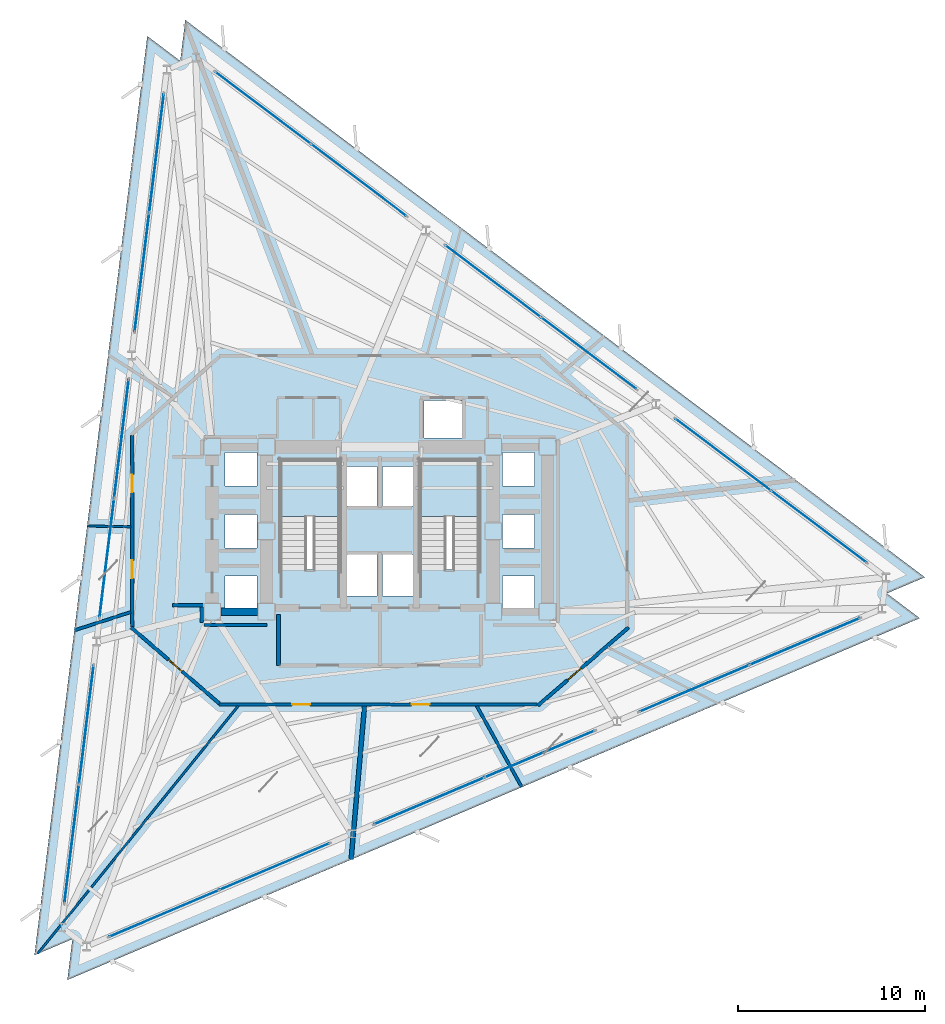
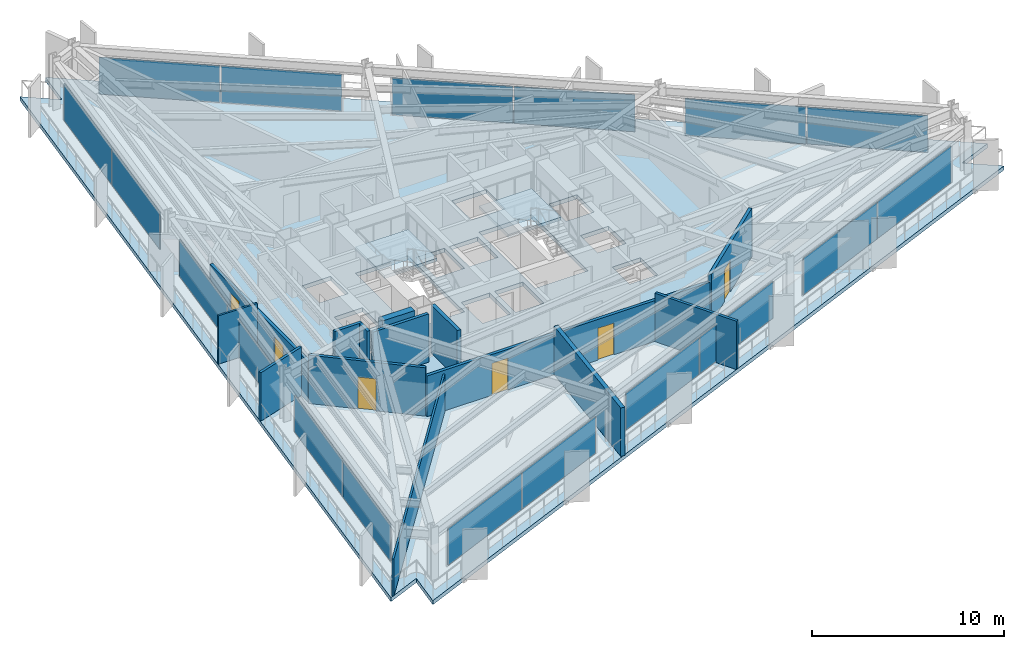
# One storey, part 6 of 13: 18 plates, 14 walls, 6 doors, 3 slabs, 6 openings, 11 elements without a shape of their own.
"""IFC4 building model written with IfcOpenShell, lengths in metres."""

from ifc_helpers import new_model, si_unit, direction, frame, frame_2d, origin, origin_2d, place, context, subcontext, project, spatial, polyline, rectangle, outline, extrude, material, layer, layer_set, type_object, element, fill, aggregate, save


model = new_model("IFC4")

# Units and contexts
model_context = context("Model", 3, precision=1e-05, world=origin(), true_north=direction((0.0, 1.0)))
body_context = subcontext(model_context, "Body", "Model", "MODEL_VIEW")
ifc_project = project(units=[si_unit("LENGTHUNIT", "METRE"), si_unit("AREAUNIT", "SQUARE_METRE"), si_unit("VOLUMEUNIT", "CUBIC_METRE"), si_unit("PLANEANGLEUNIT", "RADIAN"), si_unit("MASSUNIT", "GRAM", prefix="KILO")], contexts=[model_context])

# Site, building, storey
site_placement = place(None, origin())
site = spatial("IfcSite", under=ifc_project, at=site_placement, CompositionType="ELEMENT")
building_placement = place(site_placement, origin())
building = spatial("IfcBuilding", under=site, at=building_placement, Name="Rocaltana Carrier Exchange", CompositionType="ELEMENT")
storey_placement = place(building_placement, frame((0.0, 0.0, 59.679931640625)))
storey = spatial("IfcBuildingStorey", under=building, at=storey_placement, Name="L18", CompositionType="ELEMENT", Elevation=59.679931640625)

# Curtain wall, plates
ifc_material_1 = material(Name="Aluminium 6063-T6", Category="aluminium")
ifc_layer_1 = layer(ifc_material_1, 0.1650390625)
ifc_layer_set_1 = layer_set([ifc_layer_1], Name="Aluminium 6063-T6")
curtain_wall_type = type_object("IfcCurtainWallType", Name="Lower-Mid Stepped Curtain Wall CW-02", PredefinedType="NOTDEFINED", material=ifc_layer_set_1)
curtain_wall_1_placement = place(storey_placement, origin())
curtain_wall_1 = element("IfcCurtainWall", 1, at=curtain_wall_1_placement, inside=storey, type_object=curtain_wall_type, Name="L18 CW-02 Run CW-L18-F1S1", PredefinedType="NOTDEFINED")
ifc_material_2 = material(Name="Tempered Laminated Glass", Category="glass")
ifc_layer_2 = layer(ifc_material_2, 0.0419921875)
ifc_layer_set_2 = layer_set([ifc_layer_2], Name="Tempered Laminated Glass")
plate_type = type_object("IfcPlateType", Name="CW-02 Stone-Insulated Vision Panel", PredefinedType="CURTAIN_PANEL", material=ifc_layer_set_2)
plate_1_placement = place(storey_placement, frame((23.422607421875, 0.231201171875, 0.06494140625), z_axis=(0.0, 0.0, 1.0), x_axis=(-0.798641886792, 0.601806560833, 0.0)))
plate_1 = element("IfcPlate", 2, at=plate_1_placement, type_object=plate_type, Name="CW-02 panel 1.1", PredefinedType="CURTAIN_PANEL", context=body_context, shape_type="SweptSolid", body=[
    extrude(rectangle(XDim=6.335693359375, YDim=0.0419921875, at=origin_2d()), origin(), (0.0, 0.0, 1.0), 2.347900390625),
])
plate_2_placement = place(storey_placement, frame((18.310791015625, 4.083251953125, 0.06494140625), z_axis=(0.0, 0.0, 1.0), x_axis=(-0.798641886792, 0.601806560833, 0.0)))
plate_2 = element("IfcPlate", 3, at=plate_2_placement, type_object=plate_type, Name="CW-02 panel 2.1", PredefinedType="CURTAIN_PANEL", context=body_context, shape_type="SweptSolid", body=[
    extrude(rectangle(XDim=6.335693359375, YDim=0.0419921875, at=origin_2d()), origin(), (0.0, 0.0, 1.0), 2.347900390625),
])
aggregate(curtain_wall_1, [plate_1, plate_2])

curtain_wall_2_placement = place(storey_placement, origin())
curtain_wall_2 = element("IfcCurtainWall", 4, at=curtain_wall_2_placement, inside=storey, type_object=curtain_wall_type, Name="L18 CW-02 Run CW-L18-F1S2", PredefinedType="NOTDEFINED")
plate_3_placement = place(storey_placement, frame((11.150390625, 9.47900390625, 0.06494140625), z_axis=(0.0, 0.0, 1.0), x_axis=(-0.798635336443, 0.601815253533, 0.0)))
plate_3 = element("IfcPlate", 5, at=plate_3_placement, type_object=plate_type, Name="CW-02 panel 1.1", PredefinedType="CURTAIN_PANEL", context=body_context, shape_type="SweptSolid", body=[
    extrude(rectangle(XDim=6.335693359375, YDim=0.0419921875, at=origin_2d()), origin(), (0.0, 0.0, 1.0), 2.347900390625),
])
plate_4_placement = place(storey_placement, frame((6.038330078125, 13.3310546875, 0.06494140625), z_axis=(0.0, 0.0, 1.0), x_axis=(-0.798635336443, 0.601815253533, 0.0)))
plate_4 = element("IfcPlate", 6, at=plate_4_placement, type_object=plate_type, Name="CW-02 panel 2.1", PredefinedType="CURTAIN_PANEL", context=body_context, shape_type="SweptSolid", body=[
    extrude(rectangle(XDim=6.335693359375, YDim=0.0419921875, at=origin_2d()), origin(), (0.0, 0.0, 1.0), 2.347900390625),
])
aggregate(curtain_wall_2, [plate_3, plate_4])

curtain_wall_3_placement = place(storey_placement, origin())
curtain_wall_3 = element("IfcCurtainWall", 7, at=curtain_wall_3_placement, inside=storey, type_object=curtain_wall_type, Name="L18 CW-02 Run CW-L18-F1S3", PredefinedType="NOTDEFINED")
plate_5_placement = place(storey_placement, frame((-1.1220703125, 18.726806640625, 0.06494140625), z_axis=(0.0, 0.0, 1.0), x_axis=(-0.79863815132, 0.601811518049, 0.0)))
plate_5 = element("IfcPlate", 8, at=plate_5_placement, type_object=plate_type, Name="CW-02 panel 1.1", PredefinedType="CURTAIN_PANEL", context=body_context, shape_type="SweptSolid", body=[
    extrude(rectangle(XDim=6.3359375, YDim=0.0419921875, at=origin_2d()), origin(), (0.0, 0.0, 1.0), 2.347900390625),
])
plate_6_placement = place(storey_placement, frame((-6.23388671875, 22.5791015625, 0.06494140625), z_axis=(0.0, 0.0, 1.0), x_axis=(-0.79863815132, 0.601811518049, 0.0)))
plate_6 = element("IfcPlate", 9, at=plate_6_placement, type_object=plate_type, Name="CW-02 panel 2.1", PredefinedType="CURTAIN_PANEL", context=body_context, shape_type="SweptSolid", body=[
    extrude(rectangle(XDim=6.3359375, YDim=0.0419921875, at=origin_2d()), origin(), (0.0, 0.0, 1.0), 2.347900390625),
])
aggregate(curtain_wall_3, [plate_5, plate_6])

curtain_wall_4_placement = place(storey_placement, origin())
curtain_wall_4 = element("IfcCurtainWall", 10, at=curtain_wall_4_placement, inside=storey, type_object=curtain_wall_type, Name="L18 CW-02 Run CW-L18-F2S1", PredefinedType="NOTDEFINED")
plate_7_placement = place(storey_placement, frame((-11.91162109375, 20.169189453125, 0.06494140625), z_axis=(0.0, 0.0, 1.0), x_axis=(-0.121872630343, -0.992545748051, 0.0)))
plate_7 = element("IfcPlate", 11, at=plate_7_placement, type_object=plate_type, Name="CW-02 panel 1.1", PredefinedType="CURTAIN_PANEL", context=body_context, shape_type="SweptSolid", body=[
    extrude(rectangle(XDim=6.3359375, YDim=0.0419921875, at=origin_2d()), origin(), (0.0, 0.0, 1.0), 2.347900390625),
])
plate_8_placement = place(storey_placement, frame((-12.691650390625, 13.81591796875, 0.06494140625), z_axis=(0.0, 0.0, 1.0), x_axis=(-0.121872630343, -0.992545748051, 0.0)))
plate_8 = element("IfcPlate", 12, at=plate_8_placement, type_object=plate_type, Name="CW-02 panel 2.1", PredefinedType="CURTAIN_PANEL", context=body_context, shape_type="SweptSolid", body=[
    extrude(rectangle(XDim=6.3359375, YDim=0.0419921875, at=origin_2d()), origin(), (0.0, 0.0, 1.0), 2.347900390625),
])
aggregate(curtain_wall_4, [plate_7, plate_8])

curtain_wall_5_placement = place(storey_placement, origin())
curtain_wall_5 = element("IfcCurtainWall", 13, at=curtain_wall_5_placement, inside=storey, type_object=curtain_wall_type, Name="L18 CW-02 Run CW-L18-F2S2", PredefinedType="NOTDEFINED")
plate_9_placement = place(storey_placement, frame((-13.7841796875, 4.9169921875, 0.06494140625), z_axis=(0.0, 0.0, 1.0), x_axis=(-0.121873570472, -0.992545632614, 0.0)))
plate_9 = element("IfcPlate", 14, at=plate_9_placement, type_object=plate_type, Name="CW-02 panel 1.1", PredefinedType="CURTAIN_PANEL", context=body_context, shape_type="SweptSolid", body=[
    extrude(rectangle(XDim=6.335693359375, YDim=0.0419921875, at=origin_2d()), origin(), (0.0, 0.0, 1.0), 2.347900390625),
])
plate_10_placement = place(storey_placement, frame((-14.564208984375, -1.436279296875, 0.06494140625), z_axis=(0.0, 0.0, 1.0), x_axis=(-0.121873570472, -0.992545632614, 0.0)))
plate_10 = element("IfcPlate", 15, at=plate_10_placement, type_object=plate_type, Name="CW-02 panel 2.1", PredefinedType="CURTAIN_PANEL", context=body_context, shape_type="SweptSolid", body=[
    extrude(rectangle(XDim=6.335693359375, YDim=0.0419921875, at=origin_2d()), origin(), (0.0, 0.0, 1.0), 2.347900390625),
])
aggregate(curtain_wall_5, [plate_9, plate_10])

curtain_wall_6_placement = place(storey_placement, origin())
curtain_wall_6 = element("IfcCurtainWall", 16, at=curtain_wall_6_placement, inside=storey, type_object=curtain_wall_type, Name="L18 CW-02 Run CW-L18-F2S3", PredefinedType="NOTDEFINED")
plate_11_placement = place(storey_placement, frame((-15.656982421875, -10.335205078125, 0.06494140625), z_axis=(0.0, 0.0, 1.0), x_axis=(-0.121881227076, -0.992544692438, 0.0)))
plate_11 = element("IfcPlate", 17, at=plate_11_placement, type_object=plate_type, Name="CW-02 panel 1.1", PredefinedType="CURTAIN_PANEL", context=body_context, shape_type="SweptSolid", body=[
    extrude(rectangle(XDim=6.335693359375, YDim=0.0419921875, at=origin_2d()), origin(), (0.0, 0.0, 1.0), 2.347900390625),
])
plate_12_placement = place(storey_placement, frame((-16.43701171875, -16.688232421875, 0.06494140625), z_axis=(0.0, 0.0, 1.0), x_axis=(-0.121881227076, -0.992544692438, 0.0)))
plate_12 = element("IfcPlate", 18, at=plate_12_placement, type_object=plate_type, Name="CW-02 panel 2.1", PredefinedType="CURTAIN_PANEL", context=body_context, shape_type="SweptSolid", body=[
    extrude(rectangle(XDim=6.335693359375, YDim=0.0419921875, at=origin_2d()), origin(), (0.0, 0.0, 1.0), 2.347900390625),
])
aggregate(curtain_wall_6, [plate_11, plate_12])

curtain_wall_7_placement = place(storey_placement, origin())
curtain_wall_7 = element("IfcCurtainWall", 19, at=curtain_wall_7_placement, inside=storey, type_object=curtain_wall_type, Name="L18 CW-02 Run CW-L18-F3S1", PredefinedType="NOTDEFINED")
plate_13_placement = place(storey_placement, frame((-11.51123046875, -20.400146484375, 0.06494140625), z_axis=(0.0, 0.0, 1.0), x_axis=(0.920505895435, 0.390728673724, 0.0)))
plate_13 = element("IfcPlate", 20, at=plate_13_placement, type_object=plate_type, Name="CW-02 panel 1.1", PredefinedType="CURTAIN_PANEL", context=body_context, shape_type="SweptSolid", body=[
    extrude(rectangle(XDim=6.3359375, YDim=0.0419921875, at=origin_2d()), origin(), (0.0, 0.0, 1.0), 2.347900390625),
])
plate_14_placement = place(storey_placement, frame((-5.619140625, -17.899169921875, 0.06494140625), z_axis=(0.0, 0.0, 1.0), x_axis=(0.920505895435, 0.390728673724, 0.0)))
plate_14 = element("IfcPlate", 21, at=plate_14_placement, type_object=plate_type, Name="CW-02 panel 2.1", PredefinedType="CURTAIN_PANEL", context=body_context, shape_type="SweptSolid", body=[
    extrude(rectangle(XDim=6.3359375, YDim=0.0419921875, at=origin_2d()), origin(), (0.0, 0.0, 1.0), 2.347900390625),
])
aggregate(curtain_wall_7, [plate_13, plate_14])

curtain_wall_8_placement = place(storey_placement, origin())
curtain_wall_8 = element("IfcCurtainWall", 22, at=curtain_wall_8_placement, inside=storey, type_object=curtain_wall_type, Name="L18 CW-02 Run CW-L18-F3S2", PredefinedType="NOTDEFINED")
plate_15_placement = place(storey_placement, frame((2.634033203125, -14.39599609375, 0.06494140625), z_axis=(0.0, 0.0, 1.0), x_axis=(0.920505895435, 0.390728673724, 0.0)))
plate_15 = element("IfcPlate", 23, at=plate_15_placement, type_object=plate_type, Name="CW-02 panel 1.1", PredefinedType="CURTAIN_PANEL", context=body_context, shape_type="SweptSolid", body=[
    extrude(rectangle(XDim=6.3359375, YDim=0.0419921875, at=origin_2d()), origin(), (0.0, 0.0, 1.0), 2.347900390625),
])
plate_16_placement = place(storey_placement, frame((8.52587890625, -11.89501953125, 0.06494140625), z_axis=(0.0, 0.0, 1.0), x_axis=(0.920505895435, 0.390728673724, 0.0)))
plate_16 = element("IfcPlate", 24, at=plate_16_placement, type_object=plate_type, Name="CW-02 panel 2.1", PredefinedType="CURTAIN_PANEL", context=body_context, shape_type="SweptSolid", body=[
    extrude(rectangle(XDim=6.3359375, YDim=0.0419921875, at=origin_2d()), origin(), (0.0, 0.0, 1.0), 2.347900390625),
])
aggregate(curtain_wall_8, [plate_15, plate_16])

curtain_wall_9_placement = place(storey_placement, origin())
curtain_wall_9 = element("IfcCurtainWall", 25, at=curtain_wall_9_placement, inside=storey, type_object=curtain_wall_type, Name="L18 CW-02 Run CW-L18-F3S3", PredefinedType="NOTDEFINED")
plate_17_placement = place(storey_placement, frame((16.779052734375, -8.391845703125, 0.06494140625), z_axis=(0.0, 0.0, 1.0), x_axis=(0.920503100084, 0.390735259141, 0.0)))
plate_17 = element("IfcPlate", 26, at=plate_17_placement, type_object=plate_type, Name="CW-02 panel 1.1", PredefinedType="CURTAIN_PANEL", context=body_context, shape_type="SweptSolid", body=[
    extrude(rectangle(XDim=6.3359375, YDim=0.0419921875, at=origin_2d()), origin(), (0.0, 0.0, 1.0), 2.347900390625),
])
plate_18_placement = place(storey_placement, frame((22.671142578125, -5.890625, 0.06494140625), z_axis=(0.0, 0.0, 1.0), x_axis=(0.920503100084, 0.390735259141, 0.0)))
plate_18 = element("IfcPlate", 27, at=plate_18_placement, type_object=plate_type, Name="CW-02 panel 2.1", PredefinedType="CURTAIN_PANEL", context=body_context, shape_type="SweptSolid", body=[
    extrude(rectangle(XDim=6.3359375, YDim=0.0419921875, at=origin_2d()), origin(), (0.0, 0.0, 1.0), 2.347900390625),
])
aggregate(curtain_wall_9, [plate_17, plate_18])

# Slab
ifc_material_3 = material(Name="Concrete C60/75", Category="concrete")
ifc_layer_3 = layer(ifc_material_3, 0.260009765625)
ifc_layer_set_3 = layer_set([ifc_layer_3], Name="Concrete C60/75")
slab_type_1 = type_object("IfcSlabType", Name="Low-Zone Tower Slab 260", PredefinedType="FLOOR", material=ifc_layer_set_3)
slab_1_placement = place(storey_placement, frame((0.0, 0.0, -0.260009765625)))
element("IfcSlab", 28, at=slab_1_placement, inside=storey, type_object=slab_type_1, Name="L18 Structural Floor Slab", PredefinedType="FLOOR", context=body_context, shape_type="SweptSolid", body=[
    extrude(outline(polyline([(28.8046875, -4.64501953125), (27.0478515625, -3.321044921875), (29.072998046875, -2.46142578125), (-10.379638671875, 27.268310546875), (-10.647705078125, 25.084716796875), (-12.40478515625, 26.40869140625), (-18.425048828125, -22.623291015625), (-16.39990234375, -21.763671875), (-16.668212890625, -23.947265625), (28.8046875, -4.64501953125)]), holes=[polyline([(-5.300048828125, -2.06005859375), (-2.139892578125, -2.06005859375), (-2.139892578125, 3.800048828125), (-5.300048828125, 3.800048828125), (-5.300048828125, -2.06005859375)]), polyline([(2.139892578125, -2.06005859375), (5.300048828125, -2.06005859375), (5.300048828125, 3.800048828125), (2.139892578125, 3.800048828125), (2.139892578125, -2.06005859375)]), polyline([(-1.85009765625, -3.449951171875), (-0.14990234375, -3.449951171875), (-0.14990234375, -1.25), (-1.85009765625, -1.25), (-1.85009765625, -3.449951171875)]), polyline([(0.14990234375, -3.449951171875), (1.85009765625, -3.449951171875), (1.85009765625, -1.25), (0.14990234375, -1.25), (0.14990234375, -3.449951171875)]), polyline([(2.35009765625, 4.97998046875), (4.39990234375, 4.97998046875), (4.39990234375, 6.97998046875), (2.35009765625, 6.97998046875), (2.35009765625, 4.97998046875)]), polyline([(-1.85009765625, 1.35009765625), (-0.14990234375, 1.35009765625), (-0.14990234375, 3.449951171875), (-1.85009765625, 3.449951171875), (-1.85009765625, 1.35009765625)]), polyline([(0.14990234375, 1.35009765625), (1.85009765625, 1.35009765625), (1.85009765625, 3.449951171875), (0.14990234375, 3.449951171875), (0.14990234375, 1.35009765625)]), polyline([(-8.25, -4.199951171875), (-6.550048828125, -4.199951171875), (-6.550048828125, -2.39990234375), (-8.25, -2.39990234375), (-8.25, -4.199951171875)]), polyline([(-8.25, -0.89990234375), (-6.550048828125, -0.89990234375), (-6.550048828125, 0.89990234375), (-8.25, 0.89990234375), (-8.25, -0.89990234375)]), polyline([(-8.25, 2.39990234375), (-6.550048828125, 2.39990234375), (-6.550048828125, 4.199951171875), (-8.25, 4.199951171875), (-8.25, 2.39990234375)]), polyline([(6.550048828125, -4.199951171875), (8.25, -4.199951171875), (8.25, -2.39990234375), (6.550048828125, -2.39990234375), (6.550048828125, -4.199951171875)]), polyline([(6.550048828125, -0.89990234375), (8.25, -0.89990234375), (8.25, 0.89990234375), (6.550048828125, 0.89990234375), (6.550048828125, -0.89990234375)]), polyline([(6.550048828125, 2.39990234375), (8.25, 2.39990234375), (8.25, 4.199951171875), (6.550048828125, 4.199951171875), (6.550048828125, 2.39990234375)])]), origin(), (0.0, 0.0, 1.0), 0.260009765625),
])

# Stair, slab
ifc_material_4 = material(Name="Precast concrete C45/55", Category="concrete")
stair_type = type_object("IfcStairType", Name="Standard Dog-Leg Stair 160", PredefinedType="HALF_TURN_STAIR", material=ifc_material_4)
stair_1_placement = place(storey_placement, origin())
stair_1 = element("IfcStair", 29, at=stair_1_placement, inside=storey, type_object=stair_type, Name="L18 Core West Exit Stair ST-1", PredefinedType="HALF_TURN_STAIR")
ifc_material_5 = material(Name="Precast concrete C45/55", Category="concrete")
ifc_layer_4 = layer(ifc_material_5, 0.199951171875)
ifc_layer_set_4 = layer_set([ifc_layer_4], Name="Precast concrete C45/55")
slab_type_2 = type_object("IfcSlabType", Name="Precast Stair Half-Landing 200", PredefinedType="LANDING", material=ifc_layer_set_4)
slab_2_placement = place(storey_placement, frame((0.0, 0.0, 1.47998046875)))
slab_2 = element("IfcSlab", 30, at=slab_2_placement, type_object=slab_type_2, Name="ST-1 landing 1", PredefinedType="LANDING", context=body_context, shape_type="SweptSolid", body=[
    extrude(outline(polyline([(-2.139892578125, 0.780029296875), (-2.139892578125, 3.800048828125), (-5.300048828125, 3.800048828125), (-5.300048828125, 0.780029296875), (-2.139892578125, 0.780029296875)])), origin(), (0.0, 0.0, 1.0), 0.2001953125),
])
aggregate(stair_1, [slab_2])

stair_2_placement = place(storey_placement, origin())
stair_2 = element("IfcStair", 31, at=stair_2_placement, inside=storey, type_object=stair_type, Name="L18 Core East Exit Stair ST-2", PredefinedType="HALF_TURN_STAIR")
slab_3_placement = place(storey_placement, frame((0.0, 0.0, 1.47998046875)))
slab_3 = element("IfcSlab", 32, at=slab_3_placement, type_object=slab_type_2, Name="ST-2 landing 1", PredefinedType="LANDING", context=body_context, shape_type="SweptSolid", body=[
    extrude(outline(polyline([(5.300048828125, 0.780029296875), (5.300048828125, 3.800048828125), (2.139892578125, 3.800048828125), (2.139892578125, 0.780029296875), (5.300048828125, 0.780029296875)])), origin(), (0.0, 0.0, 1.0), 0.2001953125),
])
aggregate(stair_2, [slab_3])

# Walls
ifc_material_6 = material(Name="Double Acoustic Gypsum Partition", Category="gypsum")
ifc_layer_5 = layer(ifc_material_6, 0.159912109375)
ifc_layer_set_5 = layer_set([ifc_layer_5], Name="Double Acoustic Gypsum Partition")
wall_type_1 = type_object("IfcWallType", Name="Acoustic Studio Partition 160 EI60", PredefinedType="PARTITIONING", material=ifc_layer_set_5)
wall_1_placement = place(storey_placement, frame((-13.280029296875, -4.31494140625, 0.0), z_axis=(0.0, 0.0, 1.0), x_axis=(-0.951057330934, -0.309014487164, 0.0)))
element("IfcWall", 33, at=wall_1_placement, inside=storey, type_object=wall_type_1, Name="L18 Suite Divider Wall D1", PredefinedType="PARTITIONING", context=body_context, shape_type="SweptSolid", body=[
    extrude(rectangle(XDim=3.161865234375, YDim=0.159912109375, at=frame_2d((1.5810546875, 0.0))), origin(), (0.0, 0.0, 1.0), 3.072998046875),
])
wall_2_placement = place(storey_placement, frame((5.171630859375, -9.330078125, 0.0), z_axis=(0.0, 0.0, 1.0), x_axis=(0.484815832005, -0.874616263876, 0.0)))
element("IfcWall", 34, at=wall_2_placement, inside=storey, type_object=wall_type_1, Name="L18 Suite Divider Wall D4", PredefinedType="PARTITIONING", context=body_context, shape_type="SweptSolid", body=[
    extrude(rectangle(XDim=4.9384765625, YDim=0.159912109375, at=frame_2d((2.46923828125, 0.0))), origin(), (0.0, 0.0, 1.0), 3.072998046875),
])
ifc_material_7 = material(Name="Concrete C50/60", Category="concrete")
ifc_layer_6 = layer(ifc_material_7, 0.39990234375)
ifc_layer_set_6 = layer_set([ifc_layer_6], Name="Concrete C50/60")
wall_type_2 = type_object("IfcWallType", Name="Core Internal Shear Wall 400", PredefinedType="SHEAR", material=ifc_layer_set_6)
wall_3_placement = place(storey_placement, frame((-8.47509765625, -4.300048828125, 0.0), z_axis=(0.0, 0.0, 1.0), x_axis=(1.0, 0.0, 0.0)))
element("IfcWall", 35, at=wall_3_placement, inside=storey, type_object=wall_type_2, Name="L18 Core Shear Wall CW-WWS", PredefinedType="SHEAR", context=body_context, shape_type="SweptSolid", body=[
    extrude(rectangle(XDim=1.9501953125, YDim=0.39990234375, at=frame_2d((0.97509765625, 0.0))), origin(), (0.0, 0.0, 1.0), 3.09814453125),
])

# Wall, opening, door
ifc_material_8 = material(Name="Gypsum & Steel Stud Partition", Category="steel")
ifc_layer_7 = layer(ifc_material_8, 0.179931640625)
ifc_layer_set_7 = layer_set([ifc_layer_7], Name="Gypsum & Steel Stud Partition")
wall_type_3 = type_object("IfcWallType", Name="Corridor Fire Partition 180 EI60", PredefinedType="PARTITIONING", material=ifc_layer_set_7)
wall_4_placement = place(storey_placement, frame((13.268310546875, -5.14111328125, 0.0), z_axis=(0.0, 0.0, 1.0), x_axis=(-0.757534501725, -0.65279512766, 0.0)))
wall_4 = element("IfcWall", 36, at=wall_4_placement, inside=storey, type_object=wall_type_3, Name="L18 Corridor Partition 4", PredefinedType="PARTITIONING", context=body_context, shape_type="SweptSolid", body=[
    extrude(rectangle(XDim=6.384521484375, YDim=0.179931640625, at=frame_2d((3.1923828125, 0.0))), origin(), (0.0, 0.0, 1.0), 3.072998046875),
])
opening_1_placement = place(wall_4_placement, frame((3.345703125, 0.0, 0.0)))
opening_1 = element("IfcOpeningElement", 37, at=opening_1_placement, cuts=wall_4, Name="Opening D-RM098", PredefinedType="OPENING", context=body_context, shape_type="SweptSolid", body=[
    extrude(rectangle(XDim=0.9599609375, YDim=2.02001953125, at=frame_2d((0.47998046875, 1.010009765625))), frame((0.0, 0.099853515625, 0.0), z_axis=(0.0, -1.0, 0.0), x_axis=(1.0, 0.0, 0.0)), (0.0, 0.0, 1.0), 0.199951171875),
])
ifc_material_9 = material(Name="Engineered Hardwood Timber", Category="wood")
door_type = type_object("IfcDoorType", Name="Workspace Single Door 960x2020", OperationType="NOTDEFINED", PredefinedType="DOOR", material=ifc_material_9)
door_1_placement = place(opening_1_placement, origin())
door_1 = element("IfcDoor", 38, at=door_1_placement, inside=storey, type_object=door_type, Name="L18 Peering Conference Room Entrance Door", OperationType="SINGLE_SWING_LEFT", OverallHeight=2.02001953125, OverallWidth=0.9599609375, PredefinedType="DOOR", context=body_context, shape_type="SweptSolid", body=[
    extrude(rectangle(XDim=0.9599609375, YDim=2.02001953125, at=frame_2d((0.47998046875, 1.010009765625))), frame((0.0, 0.02490234375, 0.0), z_axis=(0.0, -1.0, 0.0), x_axis=(1.0, 0.0, 0.0)), (0.0, 0.0, 1.0), 0.050048828125),
])
fill(opening_1, door_1)

# Wall, openings, doors
wall_5_placement = place(storey_placement, frame((8.409912109375, -9.25, 0.0), z_axis=(0.0, 0.0, 1.0), x_axis=(-1.0, 0.0, 0.0)))
wall_5 = element("IfcWall", 39, at=wall_5_placement, inside=storey, type_object=wall_type_3, Name="L18 Corridor Partition 5", PredefinedType="PARTITIONING", context=body_context, shape_type="SweptSolid", body=[
    extrude(rectangle(XDim=17.0, YDim=0.179931640625, at=frame_2d((8.5, 0.0))), origin(), (0.0, 0.0, 1.0), 2.587158203125),
])
opening_2_placement = place(wall_5_placement, frame((12.126953125, 0.0, 0.0)))
opening_2 = element("IfcOpeningElement", 40, at=opening_2_placement, cuts=wall_5, Name="Opening D-RM098", PredefinedType="OPENING", context=body_context, shape_type="SweptSolid", body=[
    extrude(rectangle(XDim=0.9599609375, YDim=2.02001953125, at=frame_2d((0.47998046875, 1.010009765625))), frame((0.0, 0.099853515625, 0.0), z_axis=(0.0, -1.0, 0.0), x_axis=(1.0, 0.0, 0.0)), (0.0, 0.0, 1.0), 0.199951171875),
])
opening_3_placement = place(wall_5_placement, frame((5.75, 0.0, 0.0)))
opening_3 = element("IfcOpeningElement", 41, at=opening_3_placement, cuts=wall_5, Name="Opening D-RM098", PredefinedType="OPENING", context=body_context, shape_type="SweptSolid", body=[
    extrude(rectangle(XDim=0.9599609375, YDim=2.02001953125, at=frame_2d((0.47998046875, 1.010009765625))), frame((0.0, 0.099853515625, 0.0), z_axis=(0.0, -1.0, 0.0), x_axis=(1.0, 0.0, 0.0)), (0.0, 0.0, 1.0), 0.199951171875),
])
door_2_placement = place(opening_2_placement, origin())
door_2 = element("IfcDoor", 42, at=door_2_placement, inside=storey, type_object=door_type, Name="L18 Client Reception Foyer Entrance Door", OperationType="SINGLE_SWING_LEFT", OverallHeight=2.02001953125, OverallWidth=0.9599609375, PredefinedType="DOOR", context=body_context, shape_type="SweptSolid", body=[
    extrude(rectangle(XDim=0.9599609375, YDim=2.02001953125, at=frame_2d((0.47998046875, 1.010009765625))), frame((0.0, 0.02490234375, 0.0), z_axis=(0.0, -1.0, 0.0), x_axis=(1.0, 0.0, 0.0)), (0.0, 0.0, 1.0), 0.050048828125),
])
fill(opening_2, door_2)
door_3_placement = place(opening_3_placement, origin())
door_3 = element("IfcDoor", 43, at=door_3_placement, inside=storey, type_object=door_type, Name="L18 Cloud Architecture Office Entrance Door", OperationType="SINGLE_SWING_RIGHT", OverallHeight=2.02001953125, OverallWidth=0.9599609375, PredefinedType="DOOR", context=body_context, shape_type="SweptSolid", body=[
    extrude(rectangle(XDim=0.9599609375, YDim=2.02001953125, at=frame_2d((0.47998046875, 1.010009765625))), frame((0.0, 0.02490234375, 0.0), z_axis=(0.0, -1.0, 0.0), x_axis=(1.0, 0.0, 0.0)), (0.0, 0.0, 1.0), 0.050048828125),
])
fill(opening_3, door_3)

# Wall, opening, door
wall_6_placement = place(storey_placement, frame((-8.568115234375, -9.191162109375, 0.0), z_axis=(0.0, 0.0, 1.0), x_axis=(-0.757556899173, 0.652769135694, 0.0)))
wall_6 = element("IfcWall", 44, at=wall_6_placement, inside=storey, type_object=wall_type_3, Name="L18 Corridor Partition 6", PredefinedType="PARTITIONING", context=body_context, shape_type="SweptSolid", body=[
    extrude(rectangle(XDim=6.204345703125, YDim=0.179931640625, at=frame_2d((3.10205078125, 0.0))), origin(), (0.0, 0.0, 1.0), 3.072998046875),
])
opening_4_placement = place(wall_6_placement, frame((2.6220703125, 0.0, 0.0)))
opening_4 = element("IfcOpeningElement", 45, at=opening_4_placement, cuts=wall_6, Name="Opening D-RM098", PredefinedType="OPENING", context=body_context, shape_type="SweptSolid", body=[
    extrude(rectangle(XDim=0.9599609375, YDim=2.02001953125, at=frame_2d((0.47998046875, 1.010009765625))), frame((0.0, 0.099853515625, 0.0), z_axis=(0.0, -1.0, 0.0), x_axis=(1.0, 0.0, 0.0)), (0.0, 0.0, 1.0), 0.199951171875),
])
door_4_placement = place(opening_4_placement, origin())
door_4 = element("IfcDoor", 46, at=door_4_placement, inside=storey, type_object=door_type, Name="L18 Staff Break Pantry Entrance Door", OperationType="SINGLE_SWING_RIGHT", OverallHeight=2.02001953125, OverallWidth=0.9599609375, PredefinedType="DOOR", context=body_context, shape_type="SweptSolid", body=[
    extrude(rectangle(XDim=0.9599609375, YDim=2.02001953125, at=frame_2d((0.47998046875, 1.010009765625))), frame((0.0, 0.02490234375, 0.0), z_axis=(0.0, -1.0, 0.0), x_axis=(1.0, 0.0, 0.0)), (0.0, 0.0, 1.0), 0.050048828125),
])
fill(opening_4, door_4)

# Wall, openings, doors
wall_7_placement = place(storey_placement, frame((-13.199951171875, -5.110107421875, 0.0), z_axis=(0.0, 0.0, 1.0), x_axis=(0.0, 1.0, 0.0)))
wall_7 = element("IfcWall", 47, at=wall_7_placement, inside=storey, type_object=wall_type_3, Name="L18 Corridor Partition 7", PredefinedType="PARTITIONING", context=body_context, shape_type="SweptSolid", body=[
    extrude(rectangle(XDim=10.22021484375, YDim=0.179931640625, at=frame_2d((5.110107421875, 0.0))), origin(), (0.0, 0.0, 1.0), 2.587158203125),
])
opening_5_placement = place(wall_7_placement, frame((2.589599609375, 0.0, 0.0)))
opening_5 = element("IfcOpeningElement", 48, at=opening_5_placement, cuts=wall_7, Name="Opening D-RM098", PredefinedType="OPENING", context=body_context, shape_type="SweptSolid", body=[
    extrude(rectangle(XDim=0.9599609375, YDim=2.02001953125, at=frame_2d((0.47998046875, 1.010009765625))), frame((0.0, 0.099853515625, 0.0), z_axis=(0.0, -1.0, 0.0), x_axis=(1.0, 0.0, 0.0)), (0.0, 0.0, 1.0), 0.199951171875),
])
opening_6_placement = place(wall_7_placement, frame((7.1708984375, 0.0, 0.0)))
opening_6 = element("IfcOpeningElement", 49, at=opening_6_placement, cuts=wall_7, Name="Opening D-RM098", PredefinedType="OPENING", context=body_context, shape_type="SweptSolid", body=[
    extrude(rectangle(XDim=0.9599609375, YDim=2.02001953125, at=frame_2d((0.47998046875, 1.010009765625))), frame((0.0, 0.099853515625, 0.0), z_axis=(0.0, -1.0, 0.0), x_axis=(1.0, 0.0, 0.0)), (0.0, 0.0, 1.0), 0.199951171875),
])
door_5_placement = place(opening_5_placement, origin())
door_5 = element("IfcDoor", 50, at=door_5_placement, inside=storey, type_object=door_type, Name="L18 Client Reception Foyer Entrance Door", OperationType="SINGLE_SWING_LEFT", OverallHeight=2.02001953125, OverallWidth=0.9599609375, PredefinedType="DOOR", context=body_context, shape_type="SweptSolid", body=[
    extrude(rectangle(XDim=0.9599609375, YDim=2.02001953125, at=frame_2d((0.47998046875, 1.010009765625))), frame((0.0, 0.02490234375, 0.0), z_axis=(0.0, -1.0, 0.0), x_axis=(1.0, 0.0, 0.0)), (0.0, 0.0, 1.0), 0.050048828125),
])
fill(opening_5, door_5)
door_6_placement = place(opening_6_placement, origin())
door_6 = element("IfcDoor", 51, at=door_6_placement, inside=storey, type_object=door_type, Name="L18 Client Reception Foyer Entrance Door", OperationType="SINGLE_SWING_LEFT", OverallHeight=2.02001953125, OverallWidth=0.9599609375, PredefinedType="DOOR", context=body_context, shape_type="SweptSolid", body=[
    extrude(rectangle(XDim=0.9599609375, YDim=2.02001953125, at=frame_2d((0.47998046875, 1.010009765625))), frame((0.0, 0.02490234375, 0.0), z_axis=(0.0, -1.0, 0.0), x_axis=(1.0, 0.0, 0.0)), (0.0, 0.0, 1.0), 0.050048828125),
])
fill(opening_6, door_6)

# Walls
wall_8_placement = place(storey_placement, frame((-11.070068359375, -3.9599609375, 0.0), z_axis=(0.0, 0.0, 1.0), x_axis=(1.0, 0.0, 0.0)))
element("IfcWall", 52, at=wall_8_placement, inside=storey, type_object=wall_type_3, Name="L18 Corridor Partition 11", PredefinedType="PARTITIONING", context=body_context, shape_type="SweptSolid", body=[
    extrude(rectangle(XDim=1.650146484375, YDim=0.179931640625, at=frame_2d((0.8251953125, 0.0))), origin(), (0.0, 0.0, 1.0), 3.072998046875),
])
wall_9_placement = place(storey_placement, frame((-9.510009765625, -4.050048828125, 0.0), z_axis=(0.0, 0.0, 1.0), x_axis=(0.0, -1.0, 0.0)))
element("IfcWall", 53, at=wall_9_placement, inside=storey, type_object=wall_type_3, Name="L18 Corridor Partition 12", PredefinedType="PARTITIONING", context=body_context, shape_type="SweptSolid", body=[
    extrude(rectangle(XDim=0.820068359375, YDim=0.179931640625, at=frame_2d((0.41015625, 0.0))), origin(), (0.0, 0.0, 1.0), 3.072998046875),
])
wall_10_placement = place(storey_placement, frame((-9.3701171875, -5.010009765625, 0.0), z_axis=(0.0, 0.0, 1.0), x_axis=(1.0, 0.0, 0.0)))
element("IfcWall", 54, at=wall_10_placement, inside=storey, type_object=wall_type_3, Name="L18 Corridor Partition 13", PredefinedType="PARTITIONING", context=body_context, shape_type="SweptSolid", body=[
    extrude(rectangle(XDim=3.340087890625, YDim=0.179931640625, at=frame_2d((1.669921875, 0.0))), origin(), (0.0, 0.0, 1.0), 3.072998046875),
])
ifc_material_10 = material(Name="Aluminium 6063-T6 & Acoustic Glass", Category="aluminium")
ifc_layer_8 = layer(ifc_material_10, 0.114990234375)
ifc_layer_set_8 = layer_set([ifc_layer_8], Name="Aluminium 6063-T6 & Acoustic Glass")
wall_type_4 = type_object("IfcWallType", Name="Demountable Glazed Lab Partition 115", PredefinedType="MOVABLE", material=ifc_layer_set_8)
wall_11_placement = place(storey_placement, frame((-7.555419921875, -9.330078125, 0.0), z_axis=(0.0, 0.0, 1.0), x_axis=(-0.629320948329, -0.777145510181, 0.0)))
element("IfcWall", 55, at=wall_11_placement, inside=storey, type_object=wall_type_4, Name="L18 Suite Divider Wall D2", PredefinedType="MOVABLE", context=body_context, shape_type="SweptSolid", body=[
    extrude(rectangle(XDim=16.99609375, YDim=0.114990234375, at=frame_2d((8.498046875, 0.0))), origin(), (0.0, 0.0, 1.0), 2.358154296875),
])
wall_12_placement = place(storey_placement, frame((-13.280029296875, 0.231689453125, 0.0), z_axis=(0.0, 0.0, 1.0), x_axis=(-0.999846109686, 0.017543002765, 0.0)))
element("IfcWall", 56, at=wall_12_placement, inside=storey, type_object=wall_type_4, Name="L18 Suite Divider Wall D11", PredefinedType="MOVABLE", context=body_context, shape_type="SweptSolid", body=[
    extrude(rectangle(XDim=2.323974609375, YDim=0.114990234375, at=frame_2d((1.162109375, 0.0))), origin(), (0.0, 0.0, 1.0), 3.072998046875),
])
ifc_material_11 = material(Name="Autoclaved Aerated Concrete C30/37", Category="concrete")
ifc_layer_9 = layer(ifc_material_11, 0.219970703125)
ifc_layer_set_9 = layer_set([ifc_layer_9], Name="Autoclaved Aerated Concrete C30/37")
wall_type_5 = type_object("IfcWallType", Name="Firefighting Lobby Wall 220 EI120", PredefinedType="PARTITIONING", material=ifc_layer_set_9)
wall_13_placement = place(storey_placement, frame((-5.39990234375, -7.159912109375, 0.0), z_axis=(0.0, 0.0, 1.0), x_axis=(0.0, 1.0, 0.0)))
element("IfcWall", 57, at=wall_13_placement, inside=storey, type_object=wall_type_5, Name="L18 FFL Lobby 1 West Wall", PredefinedType="PARTITIONING", context=body_context, shape_type="SweptSolid", body=[
    extrude(rectangle(XDim=2.7099609375, YDim=0.219970703125, at=frame_2d((1.35498046875, 0.0))), origin(), (0.0, 0.0, 1.0), 3.072998046875),
])
ifc_material_12 = material(Name="Acoustic Calcium Silicate Partition", Category="gypsum")
ifc_layer_10 = layer(ifc_material_12, 0.239990234375)
ifc_layer_set_10 = layer_set([ifc_layer_10], Name="Acoustic Calcium Silicate Partition")
wall_type_6 = type_object("IfcWallType", Name="Heavy Lab Partition 240 EI90", PredefinedType="PARTITIONING", material=ifc_layer_set_10)
wall_14_placement = place(storey_placement, frame((-0.81640625, -9.330078125, 0.0), z_axis=(0.0, 0.0, 1.0), x_axis=(-0.087131179551, -0.996196846788, 0.0)))
element("IfcWall", 58, at=wall_14_placement, inside=storey, type_object=wall_type_6, Name="L18 Suite Divider Wall D3", PredefinedType="PARTITIONING", context=body_context, shape_type="SweptSolid", body=[
    extrude(rectangle(XDim=8.212646484375, YDim=0.239990234375, at=frame_2d((4.1064453125, 0.0))), origin(), (0.0, 0.0, 1.0), 3.072998046875),
])

save(model, "model.ifc")
